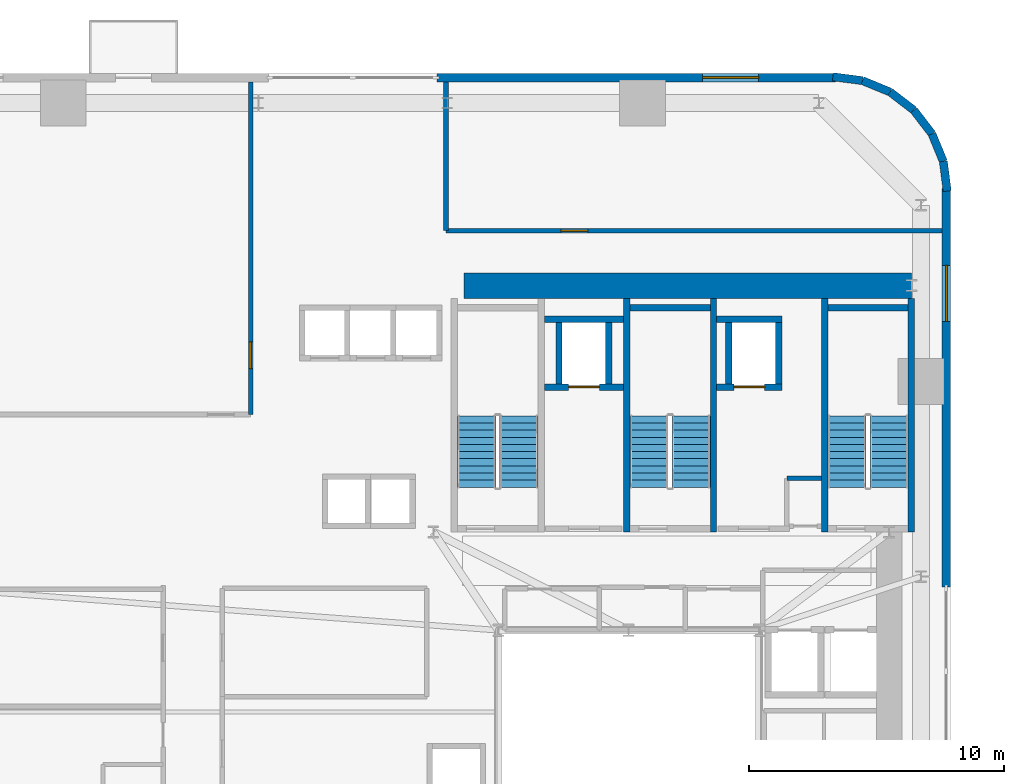
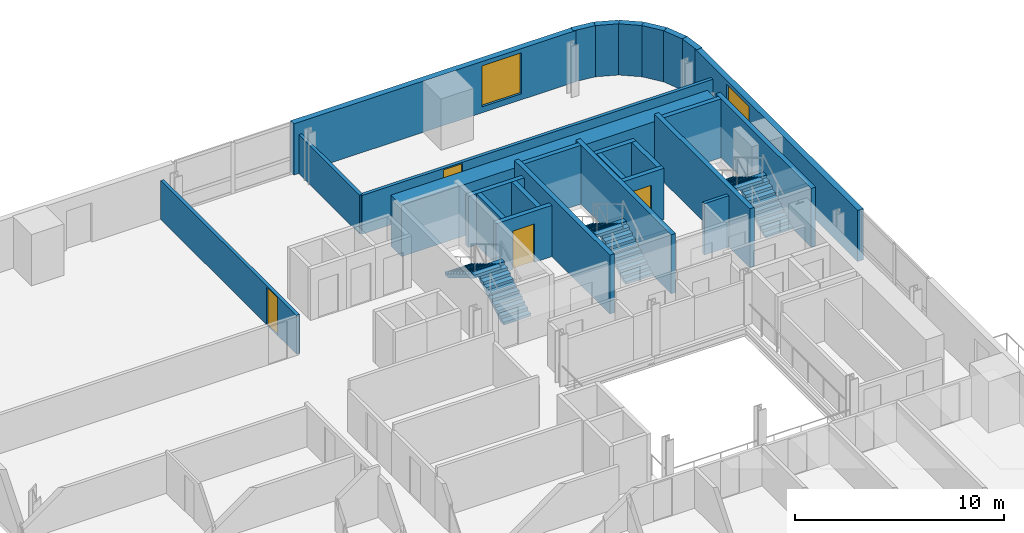
# One storey, part 9 of 13: 27 walls, 6 stair flights, 4 doors, 2 windows, 6 openings, 3 elements without a shape of their own.
"""IFC4 building model written with IfcOpenShell, lengths in metres."""

from ifc_helpers import new_model, si_unit, direction, frame, frame_2d, origin, place, context, subcontext, project, spatial, polyline, rectangle, outline, extrude, source, transform, mapped, material, layer, layer_set, type_object, element, fill, aggregate, save


model = new_model("IFC4")

# Units and contexts
model_context = context("Model", 3, precision=1e-05, world=origin(), true_north=direction((0.0, 1.0)))
body_context = subcontext(model_context, "Body", "Model", "MODEL_VIEW")
ifc_project = project(units=[si_unit("LENGTHUNIT", "METRE"), si_unit("AREAUNIT", "SQUARE_METRE"), si_unit("VOLUMEUNIT", "CUBIC_METRE"), si_unit("PLANEANGLEUNIT", "RADIAN"), si_unit("MASSUNIT", "GRAM", prefix="KILO")], contexts=[model_context])

# Site, building, storey
site_placement = place(None, origin())
site = spatial("IfcSite", under=ifc_project, at=site_placement, CompositionType="ELEMENT")
building_placement = place(site_placement, origin())
building = spatial("IfcBuilding", under=site, at=building_placement, Name="Vardaveli Station Tower", CompositionType="ELEMENT")
storey_placement = place(building_placement, frame((0.0, 0.0, 89.64990234375)))
storey = spatial("IfcBuildingStorey", under=building, at=storey_placement, Name="L23", CompositionType="ELEMENT", Elevation=89.64990234375)

# Wall
ifc_material_1 = material(Name="Concrete C60/75", Category="concrete")
ifc_layer_1 = layer(ifc_material_1, 1.0, Name="Concrete C60/75")
ifc_layer_set_1 = layer_set([ifc_layer_1], Name="Concrete C60/75")
wall_type_1 = type_object("IfcWallType", Name="WAL-CORE-1000", PredefinedType="SHEAR", material=ifc_layer_set_1)
shared_shape_1 = source(origin(), body_context, "Body", "SweptSolid", [
    extrude(rectangle(XDim=17.52001953125, YDim=1.0, at=frame_2d((8.760009765625, 0.0))), origin(), (0.0, 0.0, 1.0), 3.0),
])
wall_1_placement = place(storey_placement, frame((29.85009765625, 40.300048828125, 0.0), z_axis=(0.0, 0.0, 1.0), x_axis=(1.0, 0.0, 0.0)))
element("IfcWall", 1, at=wall_1_placement, inside=storey, type_object=wall_type_1, Name="SW-L23-NORTH", PredefinedType="SHEAR", context=body_context, shape_type="MappedRepresentation", body=[
    mapped(shared_shape_1, transform((0.0, 0.0, 0.0), scale=1.0)),
])

# Wall, opening, window
ifc_material_2 = material(Name="Precast concrete C45/55", Category="concrete")
ifc_layer_2 = layer(ifc_material_2, 0.320068359375, Name="Precast concrete C45/55")
ifc_layer_set_2 = layer_set([ifc_layer_2], Name="Precast concrete C45/55")
wall_type_2 = type_object("IfcWallType", Name="WAL-EXT-STONE-320", PredefinedType="SOLIDWALL", material=ifc_layer_set_2)
shared_shape_2 = source(origin(), body_context, "Body", "SweptSolid", [
    extrude(rectangle(XDim=15.599853515625, YDim=0.320068359375, at=frame_2d((7.7998046875, 0.0))), origin(), (0.0, 0.0, 1.0), 3.0),
])
wall_2_placement = place(storey_placement, frame((44.39990234375, 48.43994140625, 0.0), z_axis=(0.0, 0.0, 1.0), x_axis=(-1.0, 0.0, 0.0)))
wall_2 = element("IfcWall", 2, at=wall_2_placement, inside=storey, type_object=wall_type_2, Name="EW-L23-N1", PredefinedType="SOLIDWALL", context=body_context, shape_type="MappedRepresentation", body=[
    mapped(shared_shape_2, transform((0.0, 0.0, 0.0), scale=1.0)),
])
shared_shape_3 = source(origin(), body_context, "Body", "SweptSolid", [
    extrude(rectangle(XDim=2.199951171875, YDim=2.39990234375, at=frame_2d((1.10009765625, 1.199951171875))), frame((0.0, 0.169921875, 0.0), z_axis=(0.0, -1.0, 0.0), x_axis=(1.0, 0.0, 0.0)), (0.0, 0.0, 1.0), 0.340087890625),
])
opening_1_placement = place(wall_2_placement, frame((3.0048828125, 0.0, 0.35009765625)))
opening_1 = element("IfcOpeningElement", 3, at=opening_1_placement, cuts=wall_2, Name="Opening W-03", PredefinedType="OPENING", context=body_context, shape_type="MappedRepresentation", body=[
    mapped(shared_shape_3, transform((0.0, 0.0, 0.0), scale=1.0)),
])
ifc_material_3 = material(Name="Low-E solar-control glass", Category="glass")
window_type = type_object("IfcWindowType", Name="WIN-LOG-2200x2400", PartitioningType="SINGLE_PANEL", PredefinedType="WINDOW", material=ifc_material_3)
shared_shape_4 = source(origin(), body_context, "Body", "SweptSolid", [
    extrude(rectangle(XDim=2.199951171875, YDim=2.39990234375, at=frame_2d((1.10009765625, 1.199951171875))), frame((0.0, 0.030029296875, 0.0), z_axis=(0.0, -1.0, 0.0), x_axis=(1.0, 0.0, 0.0)), (0.0, 0.0, 1.0), 0.06005859375),
])
window_1_placement = place(opening_1_placement, origin())
window_1 = element("IfcWindow", 4, at=window_1_placement, inside=storey, type_object=window_type, Name="WN-L23-N1", OverallHeight=2.39990234375, OverallWidth=2.199951171875, PartitioningType="SINGLE_PANEL", PredefinedType="WINDOW", context=body_context, shape_type="MappedRepresentation", body=[
    mapped(shared_shape_4, transform((0.0, 0.0, 0.0), scale=1.0)),
])
fill(opening_1, window_1)

shared_shape_5 = source(origin(), body_context, "Body", "SweptSolid", [
    extrude(rectangle(XDim=15.60009765625, YDim=0.320068359375, at=frame_2d((7.800048828125, 0.0))), origin(), (0.0, 0.0, 1.0), 3.0),
])
wall_3_placement = place(storey_placement, frame((48.739990234375, 28.5, 0.0), z_axis=(0.0, 0.0, 1.0), x_axis=(0.0, 1.0, 0.0)))
wall_3 = element("IfcWall", 5, at=wall_3_placement, inside=storey, type_object=wall_type_2, Name="EW-L23-E2", PredefinedType="SOLIDWALL", context=body_context, shape_type="MappedRepresentation", body=[
    mapped(shared_shape_5, transform((0.0, 0.0, 0.0), scale=1.0)),
])
opening_2_placement = place(wall_3_placement, frame((10.39501953125, 0.0, 0.35009765625)))
opening_2 = element("IfcOpeningElement", 6, at=opening_2_placement, cuts=wall_3, Name="Opening W-03", PredefinedType="OPENING", context=body_context, shape_type="MappedRepresentation", body=[
    mapped(shared_shape_3, transform((0.0, 0.0, 0.0), scale=1.0)),
])
window_2_placement = place(opening_2_placement, origin())
window_2 = element("IfcWindow", 7, at=window_2_placement, inside=storey, type_object=window_type, Name="WN-L23-E2", OverallHeight=2.39990234375, OverallWidth=2.199951171875, PartitioningType="SINGLE_PANEL", PredefinedType="WINDOW", context=body_context, shape_type="MappedRepresentation", body=[
    mapped(shared_shape_4, transform((0.0, 0.0, 0.0), scale=1.0)),
])
fill(opening_2, window_2)

# Walls
shared_shape_6 = source(origin(), body_context, "Body", "SweptSolid", [
    extrude(rectangle(XDim=1.1689453125, YDim=0.320068359375, at=frame_2d((0.58447265625, 0.0))), origin(), (0.0, 0.0, 1.0), 3.0),
])
wall_4_placement = place(storey_placement, frame((48.179931640625, 46.2412109375, 0.0), z_axis=(0.0, 0.0, 1.0), x_axis=(-0.608387696831, 0.793639975269, 0.0)))
element("IfcWall", 8, at=wall_4_placement, inside=storey, type_object=wall_type_2, Name="EW-L23-CR3-3", PredefinedType="SOLIDWALL", context=body_context, shape_type="MappedRepresentation", body=[
    mapped(shared_shape_6, transform((0.0, 0.0, 0.0), scale=1.0)),
])
shared_shape_7 = source(origin(), body_context, "Body", "SweptSolid", [
    extrude(rectangle(XDim=1.168701171875, YDim=0.320068359375, at=frame_2d((0.58447265625, 0.0))), origin(), (0.0, 0.0, 1.0), 3.0),
])
wall_5_placement = place(storey_placement, frame((47.46875, 47.1689453125, 0.0), z_axis=(0.0, 0.0, 1.0), x_axis=(-0.793663520347, 0.608356981114, 0.0)))
element("IfcWall", 9, at=wall_5_placement, inside=storey, type_object=wall_type_2, Name="EW-L23-CR3-4", PredefinedType="SOLIDWALL", context=body_context, shape_type="MappedRepresentation", body=[
    mapped(shared_shape_7, transform((0.0, 0.0, 0.0), scale=1.0)),
])
shared_shape_8 = source(origin(), body_context, "Body", "SweptSolid", [
    extrude(rectangle(XDim=1.17041015625, YDim=0.320068359375, at=frame_2d((0.585205078125, 0.0))), origin(), (0.0, 0.0, 1.0), 3.0),
])
for number, where, z_axis, x_axis, name in (
    (10, (48.775634765625, 43.99951171875, 0.0), (0.0, 0.0, 1.0), (-0.128295670475, 0.991735963317, 0.0), "EW-L23-CR3-1"),
    (11, (45.460205078125, 48.325439453125, 0.0), (0.0, 0.0, 1.0), (-0.991735963317, 0.128295670475, 0.0), "EW-L23-CR3-6"),
):
    element("IfcWall", number, at=place(storey_placement, frame(where, z_axis=z_axis, x_axis=x_axis)), inside=storey, type_object=wall_type_2, Name=name, PredefinedType="SOLIDWALL", context=body_context, shape_type="MappedRepresentation", body=[
        mapped(shared_shape_8, transform((0.0, 0.0, 0.0), scale=1.0)),
    ])
shared_shape_9 = source(origin(), body_context, "Body", "SweptSolid", [
    extrude(rectangle(XDim=1.169189453125, YDim=0.320068359375, at=frame_2d((0.58447265625, 0.0))), origin(), (0.0, 0.0, 1.0), 3.0),
])
for number, where, z_axis, x_axis, name in (
    (12, (48.62548828125, 45.16015625, 0.0), (0.0, 0.0, 1.0), (-0.381054331552, 0.924552646638, 0.0), "EW-L23-CR3-2"),
    (13, (46.541259765625, 47.8798828125, 0.0), (0.0, 0.0, 1.0), (-0.924552646638, 0.381054331552, 0.0), "EW-L23-CR3-5"),
):
    element("IfcWall", number, at=place(storey_placement, frame(where, z_axis=z_axis, x_axis=x_axis)), inside=storey, type_object=wall_type_2, Name=name, PredefinedType="SOLIDWALL", context=body_context, shape_type="MappedRepresentation", body=[
        mapped(shared_shape_9, transform((0.0, 0.0, 0.0), scale=1.0)),
    ])
ifc_material_4 = material(Name="Concrete C40/50", Category="concrete")
ifc_layer_3 = layer(ifc_material_4, 0.25, Name="Concrete C40/50")
ifc_layer_set_3 = layer_set([ifc_layer_3], Name="Concrete C40/50")
wall_type_3 = type_object("IfcWallType", Name="WAL-SHAFT-250", PredefinedType="SOLIDWALL", material=ifc_layer_set_3)
shared_shape_10 = source(origin(), body_context, "Body", "SweptSolid", [
    extrude(rectangle(XDim=9.150146484375, YDim=0.25, at=frame_2d((4.5751953125, 0.0))), origin(), (0.0, 0.0, 1.0), 3.4501953125),
])
for number, where, z_axis, x_axis, name in (
    (14, (36.22509765625, 30.64990234375, 0.0), (0.0, 0.0, 1.0), (0.0, 1.0, 0.0), "W-L23-ST-2W"),
    (15, (39.625, 30.64990234375, 0.0), (0.0, 0.0, 1.0), (0.0, 1.0, 0.0), "W-L23-ST-2E"),
    (16, (43.97509765625, 30.64990234375, 0.0), (0.0, 0.0, 1.0), (0.0, 1.0, 0.0), "W-L23-ST-3W"),
    (17, (47.375, 30.64990234375, 0.0), (0.0, 0.0, 1.0), (0.0, 1.0, 0.0), "W-L23-ST-3E"),
):
    element("IfcWall", number, at=place(storey_placement, frame(where, z_axis=z_axis, x_axis=x_axis)), inside=storey, type_object=wall_type_3, Name=name, PredefinedType="SOLIDWALL", context=body_context, shape_type="MappedRepresentation", body=[
        mapped(shared_shape_10, transform((0.0, 0.0, 0.0), scale=1.0)),
    ])
shared_shape_11 = source(origin(), body_context, "Body", "SweptSolid", [
    extrude(rectangle(XDim=3.14990234375, YDim=0.25, at=frame_2d((1.574951171875, 0.0))), origin(), (0.0, 0.0, 1.0), 3.4501953125),
])
for number, where, z_axis, x_axis, name in (
    (18, (36.35009765625, 39.425048828125, 0.0), (0.0, 0.0, 1.0), (1.0, 0.0, 0.0), "W-L23-ST-2N"),
    (19, (44.10009765625, 39.425048828125, 0.0), (0.0, 0.0, 1.0), (1.0, 0.0, 0.0), "W-L23-ST-3N"),
):
    element("IfcWall", number, at=place(storey_placement, frame(where, z_axis=z_axis, x_axis=x_axis)), inside=storey, type_object=wall_type_3, Name=name, PredefinedType="SOLIDWALL", context=body_context, shape_type="MappedRepresentation", body=[
        mapped(shared_shape_11, transform((0.0, 0.0, 0.0), scale=1.0)),
    ])

# Wall, opening, door
shared_shape_12 = source(origin(), body_context, "Body", "SweptSolid", [
    extrude(rectangle(XDim=3.10009765625, YDim=0.25, at=frame_2d((1.550048828125, 0.0))), origin(), (0.0, 0.0, 1.0), 3.0),
])
wall_6_placement = place(storey_placement, frame((33.0, 36.324951171875, 0.0), z_axis=(0.0, 0.0, 1.0), x_axis=(1.0, 0.0, 0.0)))
wall_6 = element("IfcWall", 20, at=wall_6_placement, inside=storey, type_object=wall_type_3, Name="SHW-FFL-01-L23-S", PredefinedType="SOLIDWALL", context=body_context, shape_type="MappedRepresentation", body=[
    mapped(shared_shape_12, transform((0.0, 0.0, 0.0), scale=1.0)),
])
shared_shape_13 = source(origin(), body_context, "Body", "SweptSolid", [
    extrude(rectangle(XDim=1.199951171875, YDim=2.25, at=frame_2d((0.60009765625, 1.125))), frame((0.0, 0.135009765625, 0.0), z_axis=(0.0, -1.0, 0.0), x_axis=(1.0, 0.0, 0.0)), (0.0, 0.0, 1.0), 0.27001953125),
])
opening_3_placement = place(wall_6_placement, frame((0.949951171875, 0.0, 0.0)))
opening_3 = element("IfcOpeningElement", 21, at=opening_3_placement, cuts=wall_6, Name="Opening LD-02", PredefinedType="OPENING", context=body_context, shape_type="MappedRepresentation", body=[
    mapped(shared_shape_13, transform((0.0, 0.0, 0.0), scale=1.0)),
])
ifc_material_5 = material(Name="Brushed stainless steel", Category="steel")
door_type_1 = type_object("IfcDoorType", Name="DR-LD-1200x2250", OperationType="DOUBLE_DOOR_SLIDING", PredefinedType="DOOR", material=ifc_material_5)
shared_shape_14 = source(origin(), body_context, "Body", "SweptSolid", [
    extrude(rectangle(XDim=1.199951171875, YDim=2.25, at=frame_2d((0.60009765625, 1.125))), frame((0.0, 0.02490234375, 0.0), z_axis=(0.0, -1.0, 0.0), x_axis=(1.0, 0.0, 0.0)), (0.0, 0.0, 1.0), 0.050048828125),
])
door_1_placement = place(opening_3_placement, origin())
door_1 = element("IfcDoor", 22, at=door_1_placement, inside=storey, type_object=door_type_1, Name="LD-FFL-01-L23", OperationType="DOUBLE_DOOR_SLIDING", OverallHeight=2.25, OverallWidth=1.199951171875, PredefinedType="DOOR", context=body_context, shape_type="MappedRepresentation", body=[
    mapped(shared_shape_14, transform((0.0, 0.0, 0.0), scale=1.0)),
])
fill(opening_3, door_1)

# Walls
wall_7_placement = place(storey_placement, frame((33.0, 38.97509765625, 0.0), z_axis=(0.0, 0.0, 1.0), x_axis=(1.0, 0.0, 0.0)))
element("IfcWall", 23, at=wall_7_placement, inside=storey, type_object=wall_type_3, Name="SHW-FFL-01-L23-N", PredefinedType="SOLIDWALL", context=body_context, shape_type="MappedRepresentation", body=[
    mapped(shared_shape_12, transform((0.0, 0.0, 0.0), scale=1.0)),
])
shared_shape_15 = source(origin(), body_context, "Body", "SweptSolid", [
    extrude(rectangle(XDim=2.400146484375, YDim=0.25, at=frame_2d((1.2001953125, 0.0))), origin(), (0.0, 0.0, 1.0), 3.0),
])
for number, where, z_axis, x_axis, name in (
    (24, (33.574951171875, 36.449951171875, 0.0), (0.0, 0.0, 1.0), (0.0, 1.0, 0.0), "SHW-FFL-01-L23-W"),
    (25, (35.52490234375, 36.449951171875, 0.0), (0.0, 0.0, 1.0), (0.0, 1.0, 0.0), "SHW-FFL-01-L23-E"),
    (26, (40.22509765625, 36.449951171875, 0.0), (0.0, 0.0, 1.0), (0.0, 1.0, 0.0), "SHW-FFL-02-L23-W"),
    (27, (42.175048828125, 36.449951171875, 0.0), (0.0, 0.0, 1.0), (0.0, 1.0, 0.0), "SHW-FFL-02-L23-E"),
):
    element("IfcWall", number, at=place(storey_placement, frame(where, z_axis=z_axis, x_axis=x_axis)), inside=storey, type_object=wall_type_3, Name=name, PredefinedType="SOLIDWALL", context=body_context, shape_type="MappedRepresentation", body=[
        mapped(shared_shape_15, transform((0.0, 0.0, 0.0), scale=1.0)),
    ])

# Wall, opening, door
shared_shape_16 = source(origin(), body_context, "Body", "SweptSolid", [
    extrude(rectangle(XDim=2.550048828125, YDim=0.25, at=frame_2d((1.27490234375, 0.0))), origin(), (0.0, 0.0, 1.0), 3.0),
])
wall_8_placement = place(storey_placement, frame((39.75, 36.324951171875, 0.0), z_axis=(0.0, 0.0, 1.0), x_axis=(1.0, 0.0, 0.0)))
wall_8 = element("IfcWall", 28, at=wall_8_placement, inside=storey, type_object=wall_type_3, Name="SHW-FFL-02-L23-S", PredefinedType="SOLIDWALL", context=body_context, shape_type="MappedRepresentation", body=[
    mapped(shared_shape_16, transform((0.0, 0.0, 0.0), scale=1.0)),
])
opening_4_placement = place(wall_8_placement, frame((0.675048828125, 0.0, 0.0)))
opening_4 = element("IfcOpeningElement", 29, at=opening_4_placement, cuts=wall_8, Name="Opening LD-02", PredefinedType="OPENING", context=body_context, shape_type="MappedRepresentation", body=[
    mapped(shared_shape_13, transform((0.0, 0.0, 0.0), scale=1.0)),
])
door_2_placement = place(opening_4_placement, origin())
door_2 = element("IfcDoor", 30, at=door_2_placement, inside=storey, type_object=door_type_1, Name="LD-FFL-02-L23", OperationType="DOUBLE_DOOR_SLIDING", OverallHeight=2.25, OverallWidth=1.199951171875, PredefinedType="DOOR", context=body_context, shape_type="MappedRepresentation", body=[
    mapped(shared_shape_14, transform((0.0, 0.0, 0.0), scale=1.0)),
])
fill(opening_4, door_2)

# Wall
wall_9_placement = place(storey_placement, frame((39.75, 38.97509765625, 0.0), z_axis=(0.0, 0.0, 1.0), x_axis=(1.0, 0.0, 0.0)))
element("IfcWall", 31, at=wall_9_placement, inside=storey, type_object=wall_type_3, Name="SHW-FFL-02-L23-N", PredefinedType="SOLIDWALL", context=body_context, shape_type="MappedRepresentation", body=[
    mapped(shared_shape_16, transform((0.0, 0.0, 0.0), scale=1.0)),
])

# Wall, opening, door
ifc_material_6 = material(Name="Fire-rated gypsum stud partition")
ifc_layer_4 = layer(ifc_material_6, 0.179931640625, Name="Fire-rated gypsum stud partition")
ifc_layer_set_4 = layer_set([ifc_layer_4], Name="Fire-rated gypsum stud partition")
wall_type_4 = type_object("IfcWallType", Name="WAL-CORR-180", PredefinedType="PARTITIONING", material=ifc_layer_set_4)
shared_shape_17 = source(origin(), body_context, "Body", "SweptSolid", [
    extrude(rectangle(XDim=19.427978515625, YDim=0.179931640625, at=frame_2d((9.7138671875, 0.0))), origin(), (0.0, 0.0, 1.0), 2.276123046875),
])
wall_10_placement = place(storey_placement, frame((29.14990234375, 42.449951171875, 0.0), z_axis=(0.0, 0.0, 1.0), x_axis=(1.0, 0.0, 0.0)))
wall_10 = element("IfcWall", 32, at=wall_10_placement, inside=storey, type_object=wall_type_4, Name="W-L23-NPS", PredefinedType="PARTITIONING", context=body_context, shape_type="MappedRepresentation", body=[
    mapped(shared_shape_17, transform((0.0, 0.0, 0.0), scale=1.0)),
])
shared_shape_18 = source(origin(), body_context, "Body", "SweptSolid", [
    extrude(rectangle(XDim=1.050048828125, YDim=2.199951171875, at=frame_2d((0.52490234375, 1.10009765625))), frame((0.0, 0.10009765625, 0.0), z_axis=(0.0, -1.0, 0.0), x_axis=(1.0, 0.0, 0.0)), (0.0, 0.0, 1.0), 0.199951171875),
])
opening_5_placement = place(wall_10_placement, frame((4.5, 0.0, 0.0)))
opening_5 = element("IfcOpeningElement", 33, at=opening_5_placement, cuts=wall_10, Name="Opening D-05", PredefinedType="OPENING", context=body_context, shape_type="MappedRepresentation", body=[
    mapped(shared_shape_18, transform((0.0, 0.0, 0.0), scale=1.0)),
])
ifc_material_7 = material(Name="Walnut veneer acoustic fire door")
door_type_2 = type_object("IfcDoorType", Name="DR-SUITE-1050x2200", OperationType="NOTDEFINED", PredefinedType="DOOR", material=ifc_material_7)
shared_shape_19 = source(origin(), body_context, "Body", "SweptSolid", [
    extrude(rectangle(XDim=1.050048828125, YDim=2.199951171875, at=frame_2d((0.52490234375, 1.10009765625))), frame((0.0, 0.02490234375, 0.0), z_axis=(0.0, -1.0, 0.0), x_axis=(1.0, 0.0, 0.0)), (0.0, 0.0, 1.0), 0.050048828125),
])
door_3_placement = place(opening_5_placement, origin())
door_3 = element("IfcDoor", 34, at=door_3_placement, inside=storey, type_object=door_type_2, Name="D-L23-NP1", OperationType="SINGLE_SWING_LEFT", OverallHeight=2.199951171875, OverallWidth=1.050048828125, PredefinedType="DOOR", context=body_context, shape_type="MappedRepresentation", body=[
    mapped(shared_shape_19, transform((0.0, 0.0, 0.0), scale=1.0)),
])
fill(opening_5, door_3)

shared_shape_20 = source(origin(), body_context, "Body", "SweptSolid", [
    extrude(rectangle(XDim=13.028076171875, YDim=0.179931640625, at=frame_2d((6.51416015625, 0.0))), origin(), (0.0, 0.0, 1.0), 2.276123046875),
])
wall_11_placement = place(storey_placement, frame((21.5, 35.25, 0.0), z_axis=(0.0, 0.0, 1.0), x_axis=(0.0, 1.0, 0.0)))
wall_11 = element("IfcWall", 35, at=wall_11_placement, inside=storey, type_object=wall_type_4, Name="W-L23-CNWE", PredefinedType="PARTITIONING", context=body_context, shape_type="MappedRepresentation", body=[
    mapped(shared_shape_20, transform((0.0, 0.0, 0.0), scale=1.0)),
])
opening_6_placement = place(wall_11_placement, frame((1.800048828125, 0.0, 0.0)))
opening_6 = element("IfcOpeningElement", 36, at=opening_6_placement, cuts=wall_11, Name="Opening D-05", PredefinedType="OPENING", context=body_context, shape_type="MappedRepresentation", body=[
    mapped(shared_shape_18, transform((0.0, 0.0, 0.0), scale=1.0)),
])
door_4_placement = place(opening_6_placement, origin())
door_4 = element("IfcDoor", 37, at=door_4_placement, inside=storey, type_object=door_type_2, Name="D-L23-GNWE", OperationType="SINGLE_SWING_RIGHT", OverallHeight=2.199951171875, OverallWidth=1.050048828125, PredefinedType="DOOR", context=body_context, shape_type="MappedRepresentation", body=[
    mapped(shared_shape_19, transform((0.0, 0.0, 0.0), scale=1.0)),
])
fill(opening_6, door_4)

# Walls
shared_shape_21 = source(origin(), body_context, "Body", "SweptSolid", [
    extrude(rectangle(XDim=5.828125, YDim=0.179931640625, at=frame_2d((2.9140625, 0.0))), origin(), (0.0, 0.0, 1.0), 2.276123046875),
])
wall_12_placement = place(storey_placement, frame((29.14990234375, 42.449951171875, 0.0), z_axis=(0.0, 0.0, 1.0), x_axis=(0.0, 1.0, 0.0)))
element("IfcWall", 38, at=wall_12_placement, inside=storey, type_object=wall_type_4, Name="W-L23-NPW", PredefinedType="PARTITIONING", context=body_context, shape_type="MappedRepresentation", body=[
    mapped(shared_shape_21, transform((0.0, 0.0, 0.0), scale=1.0)),
])
shared_shape_22 = source(origin(), body_context, "Body", "SweptSolid", [
    extrude(rectangle(XDim=1.347900390625, YDim=0.179931640625, at=frame_2d((0.673828125, 0.0))), origin(), (0.0, 0.0, 1.0), 3.0),
])
wall_13_placement = place(storey_placement, frame((42.5, 32.75, 0.0), z_axis=(0.0, 0.0, 1.0), x_axis=(1.0, 0.0, 0.0)))
element("IfcWall", 39, at=wall_13_placement, inside=storey, type_object=wall_type_4, Name="W-L23-CBS2A-N", PredefinedType="PARTITIONING", context=body_context, shape_type="MappedRepresentation", body=[
    mapped(shared_shape_22, transform((0.0, 0.0, 0.0), scale=1.0)),
])

# Stair, stair flights
stair_type = type_object("IfcStairType", Name="STR-CORE-1500", PredefinedType="HALF_TURN_STAIR", material=ifc_material_4)
stair_1_placement = place(storey_placement, origin())
stair_1 = element("IfcStair", 40, at=stair_1_placement, inside=storey, type_object=stair_type, Name="L23 ST-1", PredefinedType="HALF_TURN_STAIR")
stair_flight_type = type_object("IfcStairFlightType", Name="SFL-CORE-1500", PredefinedType="STRAIGHT", material=ifc_material_4)
shared_shape_23 = source(origin(), body_context, "Body", "SweptSolid", [
    extrude(outline(polyline([(0.0, 0.0), (0.0, 0.166015625), (0.280029296875, 0.166015625), (0.280029296875, 0.331787109375), (0.56005859375, 0.331787109375), (0.56005859375, 0.497802734375), (0.840087890625, 0.497802734375), (0.840087890625, 0.66357421875), (1.1201171875, 0.66357421875), (1.1201171875, 0.82958984375), (1.39990234375, 0.82958984375), (1.39990234375, 0.995361328125), (1.679931640625, 0.995361328125), (1.679931640625, 1.161376953125), (1.9599609375, 1.161376953125), (1.9599609375, 1.327392578125), (2.239990234375, 1.327392578125), (2.239990234375, 1.4931640625), (2.52001953125, 1.4931640625), (2.52001953125, 1.6591796875), (2.800048828125, 1.6591796875), (2.800048828125, 1.824951171875), (2.800048828125, 1.48486328125), (0.2939453125, 0.0), (0.0, 0.0)])), frame((0.0, 0.75, 0.0), z_axis=(0.0, -1.0, 0.0), x_axis=(1.0, 0.0, 0.0)), (0.0, 0.0, 1.0), 1.5),
])
stair_flight_1_placement = place(storey_placement, frame((32.0, 32.39990234375, 0.0), z_axis=(0.0, 0.0, 1.0), x_axis=(0.0, 1.0, 0.0)))
stair_flight_1 = element("IfcStairFlight", 41, at=stair_flight_1_placement, type_object=stair_flight_type, Name="ST-1 flight 1", NumberOfRisers=11, NumberOfTreads=10, PredefinedType="STRAIGHT", RiserHeight=0.165909091, TreadLength=0.28, context=body_context, shape_type="MappedRepresentation", body=[
    mapped(shared_shape_23, transform((0.0, 0.0, 0.0), scale=1.0)),
])
stair_flight_2_placement = place(storey_placement, frame((30.35009765625, 35.199951171875, 1.8251953125), z_axis=(0.0, 0.0, 1.0), x_axis=(0.0, -1.0, 0.0)))
stair_flight_2 = element("IfcStairFlight", 42, at=stair_flight_2_placement, type_object=stair_flight_type, Name="ST-1 flight 2", NumberOfRisers=11, NumberOfTreads=10, PredefinedType="STRAIGHT", RiserHeight=0.165909091, TreadLength=0.28, context=body_context, shape_type="MappedRepresentation", body=[
    mapped(shared_shape_23, transform((0.0, 0.0, 0.0), scale=1.0)),
])
aggregate(stair_1, [stair_flight_1, stair_flight_2])

stair_2_placement = place(storey_placement, origin())
stair_2 = element("IfcStair", 43, at=stair_2_placement, inside=storey, type_object=stair_type, Name="L23 ST-2", PredefinedType="HALF_TURN_STAIR")
stair_flight_3_placement = place(storey_placement, frame((38.75, 32.39990234375, 0.0), z_axis=(0.0, 0.0, 1.0), x_axis=(0.0, 1.0, 0.0)))
stair_flight_3 = element("IfcStairFlight", 44, at=stair_flight_3_placement, type_object=stair_flight_type, Name="ST-2 flight 1", NumberOfRisers=11, NumberOfTreads=10, PredefinedType="STRAIGHT", RiserHeight=0.165909091, TreadLength=0.28, context=body_context, shape_type="MappedRepresentation", body=[
    mapped(shared_shape_23, transform((0.0, 0.0, 0.0), scale=1.0)),
])
stair_flight_4_placement = place(storey_placement, frame((37.10009765625, 35.199951171875, 1.8251953125), z_axis=(0.0, 0.0, 1.0), x_axis=(0.0, -1.0, 0.0)))
stair_flight_4 = element("IfcStairFlight", 45, at=stair_flight_4_placement, type_object=stair_flight_type, Name="ST-2 flight 2", NumberOfRisers=11, NumberOfTreads=10, PredefinedType="STRAIGHT", RiserHeight=0.165909091, TreadLength=0.28, context=body_context, shape_type="MappedRepresentation", body=[
    mapped(shared_shape_23, transform((0.0, 0.0, 0.0), scale=1.0)),
])
aggregate(stair_2, [stair_flight_3, stair_flight_4])

stair_3_placement = place(storey_placement, origin())
stair_3 = element("IfcStair", 46, at=stair_3_placement, inside=storey, type_object=stair_type, Name="L23 ST-3", PredefinedType="HALF_TURN_STAIR")
stair_flight_5_placement = place(storey_placement, frame((46.5, 32.39990234375, 0.0), z_axis=(0.0, 0.0, 1.0), x_axis=(0.0, 1.0, 0.0)))
stair_flight_5 = element("IfcStairFlight", 47, at=stair_flight_5_placement, type_object=stair_flight_type, Name="ST-3 flight 1", NumberOfRisers=11, NumberOfTreads=10, PredefinedType="STRAIGHT", RiserHeight=0.165909091, TreadLength=0.28, context=body_context, shape_type="MappedRepresentation", body=[
    mapped(shared_shape_23, transform((0.0, 0.0, 0.0), scale=1.0)),
])
stair_flight_6_placement = place(storey_placement, frame((44.85009765625, 35.199951171875, 1.8251953125), z_axis=(0.0, 0.0, 1.0), x_axis=(0.0, -1.0, 0.0)))
stair_flight_6 = element("IfcStairFlight", 48, at=stair_flight_6_placement, type_object=stair_flight_type, Name="ST-3 flight 2", NumberOfRisers=11, NumberOfTreads=10, PredefinedType="STRAIGHT", RiserHeight=0.165909091, TreadLength=0.28, context=body_context, shape_type="MappedRepresentation", body=[
    mapped(shared_shape_23, transform((0.0, 0.0, 0.0), scale=1.0)),
])
aggregate(stair_3, [stair_flight_5, stair_flight_6])

save(model, "model.ifc")
